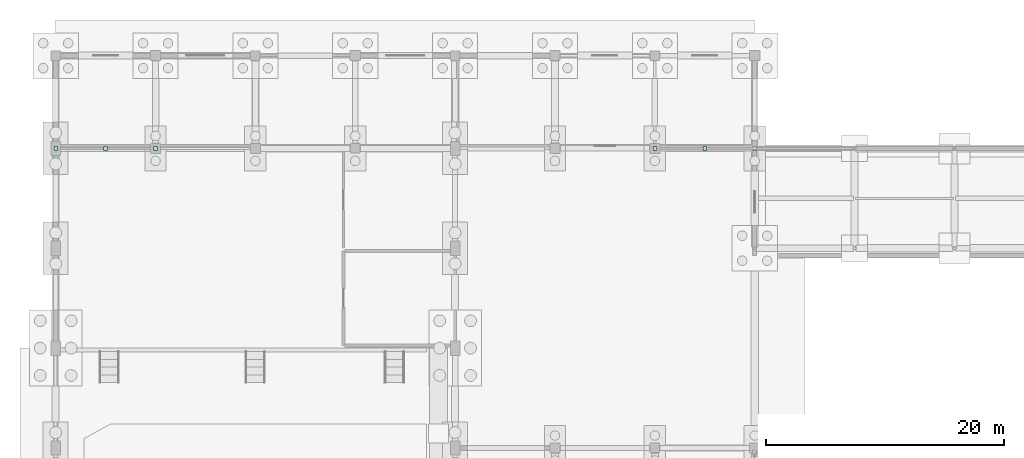
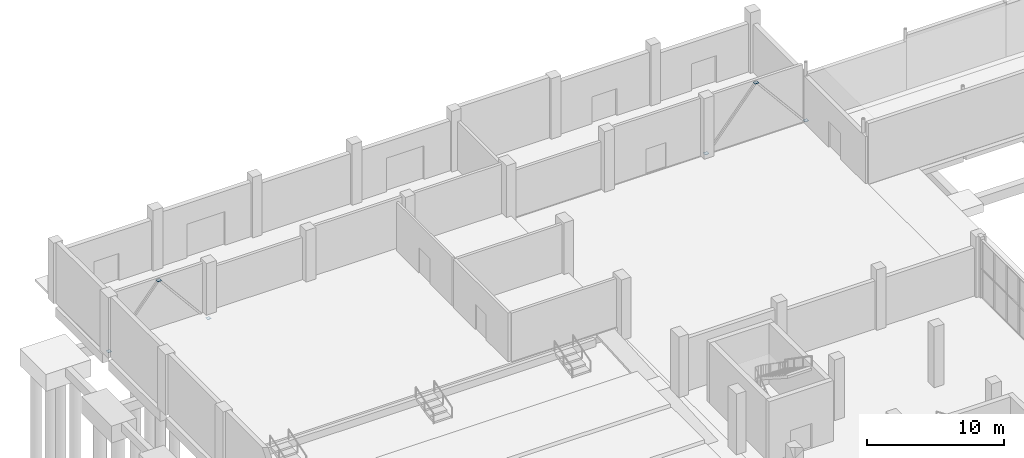
# One storey, part 62 of 82: 6 plates.
"""IFC4 building model written with IfcOpenShell, lengths in metres."""

from ifc_helpers import new_model, si_unit, derived_unit, direction, frame, origin, origin_2d, place, context, subcontext, project, spatial, rectangle, extrude, material, layer, layer_set, type_object, element, save


model = new_model("IFC4")

# Units and contexts
model_context = context("Model", 3, precision=1e-05, world=origin(), true_north=direction((0.0, 1.0)))
body_context = subcontext(model_context, "Body", "Model", "MODEL_VIEW")
ifc_project = project(units=[si_unit("LENGTHUNIT", "METRE"), si_unit("AREAUNIT", "SQUARE_METRE"), si_unit("VOLUMEUNIT", "CUBIC_METRE"), si_unit("PLANEANGLEUNIT", "RADIAN"), si_unit("MASSUNIT", "GRAM", prefix="KILO"), derived_unit("THERMALTRANSMITTANCEUNIT", [(si_unit("POWERUNIT", "WATT"), 1), (si_unit("LENGTHUNIT", "METRE"), -2), (si_unit("THERMODYNAMICTEMPERATUREUNIT", "KELVIN"), -1)])], contexts=[model_context])

# Site, building, storey
site_placement = place(None, origin())
site = spatial("IfcSite", under=ifc_project, at=site_placement, CompositionType="ELEMENT")
building_placement = place(site_placement, origin())
building = spatial("IfcBuilding", under=site, at=building_placement, Name="Barrovel Congress Hotel", CompositionType="ELEMENT")
storey_placement = place(building_placement, origin())
storey = spatial("IfcBuildingStorey", under=building, at=storey_placement, Name="L00", CompositionType="ELEMENT", Elevation=0.0)

# Plates
ifc_material = material(Name="Steel ASTM A992 Grade 50", Category="steel")
ifc_layer = layer(ifc_material, 0.02392578125)
ifc_layer_set = layer_set([ifc_layer], Name="Steel ASTM A992 Grade 50")
plate_type = type_object("IfcPlateType", Name="GP-24", PredefinedType="SHEET", material=ifc_layer_set)
for number, where, z_axis, x_axis, name in (
    (1, (0.0, 105.0, 0.1279296875), (0.0, 0.0, 1.0), (1.0, 0.0, 0.0), "Braced Frame Gusset Plate L00 BF1 BL"),
    (2, (8.39990234375, 105.0, 0.1279296875), (0.0, 0.0, 1.0), (1.0, 0.0, 0.0), "Braced Frame Gusset Plate L00 BF1 BR"),
    (3, (4.199951171875, 105.0, 4.97802734375), (0.0, 0.0, 1.0), (1.0, 0.0, 0.0), "Braced Frame Gusset Plate L00 BF1 AP"),
    (4, (50.39990234375, 105.0, 0.1279296875), (0.0, 0.0, 1.0), (1.0, 0.0, 0.0), "Braced Frame Gusset Plate L00 BF2 BL"),
    (5, (58.800048828125, 105.0, 0.1279296875), (0.0, 0.0, 1.0), (1.0, 0.0, 0.0), "Braced Frame Gusset Plate L00 BF2 BR"),
    (6, (54.60009765625, 105.0, 4.97802734375), (0.0, 0.0, 1.0), (1.0, 0.0, 0.0), "Braced Frame Gusset Plate L00 BF2 AP"),
):
    element("IfcPlate", number, at=place(storey_placement, frame(where, z_axis=z_axis, x_axis=x_axis)), inside=storey, type_object=plate_type, Name=name, PredefinedType="SHEET", context=body_context, shape_type="SweptSolid", body=[
        extrude(rectangle(XDim=0.320068359375, YDim=0.320068359375, at=origin_2d()), origin(), (0.0, 0.0, 1.0), 0.02392578125),
    ])

save(model, "model.ifc")
